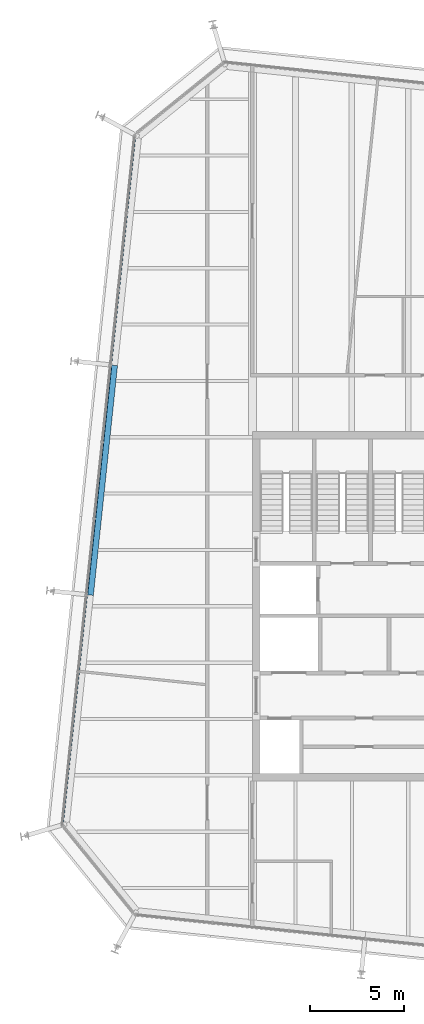
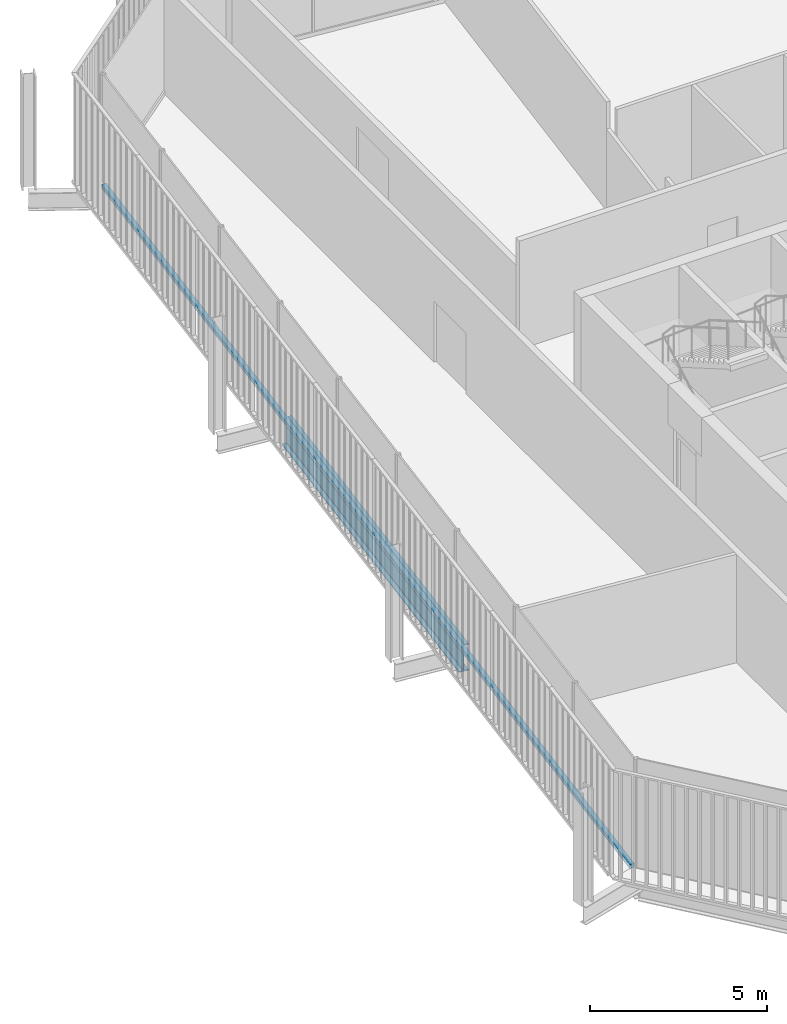
# One storey, part 7 of 20: 1 beam, 1 member, 1 element without a shape of its own.
"""IFC4 building model written with IfcOpenShell, lengths in metres."""

import ifcopenshell
import ifcopenshell.guid

model = None  # the IFC model being written
_history = None  # IfcOwnerHistory: only IFC2X3 demands one
_inside = {}  # id of a spatial element -> (the spatial element, [elements in it])
_under = {}  # id of a project, library or spatial element -> (it, [spatial elements below it])
_declared = {}  # id of a project -> (the project, [libraries it declares])
_typed = {}  # id of a type object -> (the type object, [elements of that type])
_made_of = {}  # id of a material, layer set ... -> (it, [elements and type objects made of it])


def new_model(schema):
    """Start an empty IFC model of exactly this schema.

    Asked for "IFC4X3", IfcOpenShell would pick the latest addendum, in which some entities
    have other attributes; the version numbers below select the first issue.
    IFC2X3 requires an IfcOwnerHistory on every rooted entity: one is made here for all.
    """
    global model, _history
    if schema == "IFC4X3":
        model = ifcopenshell.file(schema_version=(4, 3, 0, 0))
    else:
        model = ifcopenshell.file(schema=schema)
    _inside.clear()
    _under.clear()
    _declared.clear()
    _typed.clear()
    _made_of.clear()
    _history = None
    if model.schema == "IFC2X3":
        org = make("IfcOrganization", Name="unknown")
        user = make(
            "IfcPersonAndOrganization",
            ThePerson=make("IfcPerson", FamilyName="unknown"),
            TheOrganization=org,
        )
        app = make(
            "IfcApplication",
            ApplicationDeveloper=org,
            Version="unknown",
            ApplicationFullName="unknown",
            ApplicationIdentifier="unknown",
        )
        _history = make(
            "IfcOwnerHistory",
            OwningUser=user,
            OwningApplication=app,
            ChangeAction="ADDED",
            CreationDate=0,
        )
    return model


def make(cls, **values):
    """One entity of the class cls with the attributes given. An attribute that is None is left unset."""
    return model.create_entity(
        cls, **{name: value for name, value in values.items() if value is not None}
    )


def rooted(cls, **values):
    """An entity with a GlobalId (a new one), such as an element, a storey or a relation."""
    return make(cls, GlobalId=ifcopenshell.guid.new(), OwnerHistory=_history, **values)


def si_unit(unit_type, name, prefix=None):
    """IfcSIUnit, for example si_unit("LENGTHUNIT", "METRE", prefix="MILLI")."""
    return make("IfcSIUnit", UnitType=unit_type, Prefix=prefix, Name=name)


def assignment(units):
    """IfcUnitAssignment: the units of a project."""
    return None if units is None else make("IfcUnitAssignment", Units=units)


def point(xyz):
    """IfcCartesianPoint."""
    return None if xyz is None else make("IfcCartesianPoint", Coordinates=xyz)


def direction(xyz):
    """IfcDirection."""
    return None if xyz is None else make("IfcDirection", DirectionRatios=xyz)


def frame(location, z_axis=None, x_axis=None):
    """IfcAxis2Placement3D, a coordinate frame: its origin and axes. An axis left out is left unset."""
    return make(
        "IfcAxis2Placement3D",
        Location=point(location),
        Axis=direction(z_axis),
        RefDirection=direction(x_axis),
    )


def frame_2d(location, x_axis=None):
    """IfcAxis2Placement2D, a coordinate frame in the plane: its origin and x axis."""
    return make(
        "IfcAxis2Placement2D", Location=point(location), RefDirection=direction(x_axis)
    )


def origin():
    """The frame at (0, 0, 0) with its axes left unset."""
    return frame((0.0, 0.0, 0.0))


def origin_2d():
    """The frame at (0, 0) in the plane with its x axis left unset."""
    return frame_2d((0.0, 0.0))


def place(relative_to, where):
    """IfcLocalPlacement: puts the frame where relative to a parent placement (None: the world)."""
    return make(
        "IfcLocalPlacement", PlacementRelTo=relative_to, RelativePlacement=where
    )


def context(
    kind, dimensions, precision=None, world=None, true_north=None, identifier=None
):
    """IfcGeometricRepresentationContext, for example the 3D "Model" context."""
    return make(
        "IfcGeometricRepresentationContext",
        ContextIdentifier=identifier,
        ContextType=kind,
        CoordinateSpaceDimension=dimensions,
        Precision=precision,
        WorldCoordinateSystem=world,
        TrueNorth=true_north,
    )


def subcontext(parent, identifier, kind, view, scale=None):
    """IfcGeometricRepresentationSubContext, for example "Body" below "Model"."""
    return make(
        "IfcGeometricRepresentationSubContext",
        ContextIdentifier=identifier,
        ContextType=kind,
        ParentContext=parent,
        TargetScale=scale,
        TargetView=view,
    )


def project(units=None, contexts=None):
    """IfcProject with its units and contexts."""
    return rooted(
        "IfcProject",
        Name="project",
        RepresentationContexts=contexts,
        UnitsInContext=assignment(units),
    )


def spatial(cls, under=None, at=None, **own):
    """A site, building, storey or space (cls), placed at a placement, below another one or the project."""
    s = rooted(cls, ObjectPlacement=at, **own)
    if under is not None:
        _under.setdefault(under.id(), (under, []))[1].append(s)
    return s


def profile(cls, at=None, kind="AREA", **sizes):
    """A parametric profile (cls). Its sizes go by their IFC names, for example OverallWidth=200.0."""
    return make(cls, ProfileType=kind, Position=at, **sizes)


def rectangle(**sizes):
    """IfcRectangleProfileDef."""
    return profile("IfcRectangleProfileDef", **sizes)


def i_section(**sizes):
    """IfcIShapeProfileDef."""
    return profile("IfcIShapeProfileDef", **sizes)


def extrude(swept, where, along, depth):
    """IfcExtrudedAreaSolid: the profile swept, set in the frame where, extruded along a direction by depth."""
    return make(
        "IfcExtrudedAreaSolid",
        SweptArea=swept,
        Position=where,
        ExtrudedDirection=direction(along),
        Depth=depth,
    )


def shape(context_of_items, identifier, shape_type, items):
    """IfcShapeRepresentation: the items that make up one representation, for example the "Body"."""
    return make(
        "IfcShapeRepresentation",
        ContextOfItems=context_of_items,
        RepresentationIdentifier=identifier,
        RepresentationType=shape_type,
        Items=items,
    )


def material(Name=None, Category=None):
    """IfcMaterial."""
    return make("IfcMaterial", Name=Name, Category=Category)


def layer(
    of_material, thickness, ventilated=None, Name=None, Category=None, Priority=None
):
    """IfcMaterialLayer: one layer of a wall or slab, of a material (None: an air gap)."""
    return make(
        "IfcMaterialLayer",
        Material=of_material,
        LayerThickness=thickness,
        IsVentilated=ventilated,
        Name=Name,
        Category=Category,
        Priority=Priority,
    )


def layer_set(layers, Name=None):
    """IfcMaterialLayerSet."""
    return make("IfcMaterialLayerSet", MaterialLayers=layers, LayerSetName=Name)


def material_profile(
    of_material, cross_section, Name=None, Category=None, Priority=None
):
    """IfcMaterialProfile: a cross section and its material."""
    return make(
        "IfcMaterialProfile",
        Name=Name,
        Material=of_material,
        Profile=cross_section,
        Priority=Priority,
        Category=Category,
    )


def profile_set(profiles, Name=None, composite=None):
    """IfcMaterialProfileSet."""
    return make(
        "IfcMaterialProfileSet",
        Name=Name,
        MaterialProfiles=profiles,
        CompositeProfile=composite,
    )


def made_of(thing, what):
    """Note that an element or type object is made of a material, layer set ...; save() writes the relation."""
    if what is not None:
        _made_of.setdefault(what.id(), (what, []))[1].append(thing)
    return thing


def type_object(cls, material=None, **own):
    """A type object (cls), such as IfcWallType, which elements share."""
    return made_of(rooted(cls, **own), material)


def element(
    cls,
    number,
    at=None,
    inside=None,
    cuts=None,
    type_object=None,
    material=None,
    context=None,
    identifier="Body",
    shape_type=None,
    held_by="IfcProductDefinitionShape",
    body=None,
    shapes=None,
    **own,
):
    """One element of the class cls, such as IfcWall. Its Tag is "e" and its number.

    at: its placement. inside: the storey or other place that contains it. cuts: it is an
    opening in that element (IfcRelVoidsElement). A single representation is given by context,
    identifier, shape_type and body (its items); several are given by shapes. held_by: the class
    of the entity that holds the representations. save() writes the other relations.
    """
    e = rooted(cls, Tag="e%d" % number, ObjectPlacement=at, **own)
    if body is not None:
        shapes = [shape(context, identifier, shape_type, body)]
    if shapes is not None:
        e.Representation = make(held_by, Representations=shapes)
    if inside is not None:
        _inside.setdefault(inside.id(), (inside, []))[1].append(e)
    if cuts is not None:
        rooted(
            "IfcRelVoidsElement", RelatingBuildingElement=cuts, RelatedOpeningElement=e
        )
    if type_object is not None:
        _typed.setdefault(type_object.id(), (type_object, []))[1].append(e)
    return made_of(e, material)


def aggregate(whole, parts):
    """IfcRelAggregates: a whole, such as a stair, and the parts it consists of."""
    return rooted("IfcRelAggregates", RelatingObject=whole, RelatedObjects=parts)


def save(model, path):
    """Write the relations noted so far, then the file.

    IfcRelAggregates (storeys below a building ...), IfcRelContainedInSpatialStructure (elements
    in a storey), IfcRelDefinesByType, IfcRelAssociatesMaterial and IfcRelDeclares: one each for
    every whole, place, type object, material and project.
    """
    for whole, parts in _under.values():
        aggregate(whole, parts)
    for where, things in _inside.values():
        rooted(
            "IfcRelContainedInSpatialStructure",
            RelatedElements=things,
            RelatingStructure=where,
        )
    for kind, things in _typed.values():
        rooted("IfcRelDefinesByType", RelatedObjects=things, RelatingType=kind)
    for what, things in _made_of.values():
        rooted("IfcRelAssociatesMaterial", RelatedObjects=things, RelatingMaterial=what)
    for by, libraries in _declared.values():
        rooted("IfcRelDeclares", RelatingContext=by, RelatedDefinitions=libraries)
    model.write(path)


model = new_model("IFC4")

# Units and contexts
model_context = context("Model", 3, precision=1e-05, world=origin(), true_north=direction((0.0, 1.0)))
body_context = subcontext(model_context, "Body", "Model", "MODEL_VIEW")
ifc_project = project(units=[si_unit("LENGTHUNIT", "METRE"), si_unit("AREAUNIT", "SQUARE_METRE"), si_unit("VOLUMEUNIT", "CUBIC_METRE"), si_unit("PLANEANGLEUNIT", "RADIAN"), si_unit("MASSUNIT", "GRAM", prefix="KILO")], contexts=[model_context])

# Site, building, storey
site_placement = place(None, origin())
site = spatial("IfcSite", under=ifc_project, at=site_placement, CompositionType="ELEMENT")
building_placement = place(site_placement, origin())
building = spatial("IfcBuilding", under=site, at=building_placement, Name="Millrace Tower", CompositionType="ELEMENT")
storey_placement = place(building_placement, frame((0.0, 0.0, 303.300048828125)))
storey = spatial("IfcBuildingStorey", under=building, at=storey_placement, Name="L70", CompositionType="ELEMENT", Elevation=303.300048828125)

# Curtain wall, member
ifc_material_1 = material(Name="Aluminium and glass", Category="aluminium")
ifc_layer = layer(ifc_material_1, 0.14990234375)
ifc_layer_set = layer_set([ifc_layer], Name="Aluminium and glass")
curtain_wall_type = type_object("IfcCurtainWallType", Name="CW-1 office vision curtain wall", PredefinedType="NOTDEFINED", material=ifc_layer_set)
curtain_wall_placement = place(storey_placement, origin())
curtain_wall = element("IfcCurtainWall", 1, at=curtain_wall_placement, inside=storey, type_object=curtain_wall_type, Name="Curtain wall E-F08 L70", PredefinedType="NOTDEFINED")
ifc_material_2 = material(Name="Aluminium", Category="aluminium")
ifc_material_profile_1 = material_profile(ifc_material_2, rectangle(XDim=0.14990234375, YDim=0.139892578125, at=origin_2d()))
ifc_profile_set_1 = profile_set([ifc_material_profile_1], Name="Aluminium")
member_type = type_object("IfcMemberType", Name="CW-1 office vision curtain wall transom", PredefinedType="USERDEFINED", material=ifc_profile_set_1)
member_placement = place(storey_placement, frame((-20.581787109375, 24.9853515625, 0.070068359375), z_axis=(-0.104527916025, -0.994521952886, 0.0), x_axis=(0.994521952886, -0.104527916025, 0.0)))
member = element("IfcMember", 2, at=member_placement, type_object=member_type, Name="CW1 transom E-F08.1", ObjectType="TRANSOM", PredefinedType="USERDEFINED", context=body_context, shape_type="SweptSolid", body=[
    extrude(rectangle(XDim=0.14990234375, YDim=0.139892578125, at=origin_2d()), origin(), (0.0, 0.0, 1.0), 36.699951171875),
])
aggregate(curtain_wall, [member])

# Beam
ifc_material_3 = material(Name="Steel ASTM A992 Grade 50", Category="steel")
ifc_material_profile_2 = material_profile(ifc_material_3, i_section(OverallWidth=0.307373046875, OverallDepth=0.927001953125, WebThickness=0.01953125, FlangeThickness=0.031982421875, FilletRadius=0.01904296875, at=origin_2d()))
ifc_profile_set_2 = profile_set([ifc_material_profile_2], Name="Steel ASTM A992 Grade 50")
beam_type = type_object("IfcBeamType", Name="Ring beam medium span W36x194", PredefinedType="SPANDREL", material=ifc_profile_set_2)
beam_placement = place(storey_placement, frame((-22.915283203125, 0.595703125, -0.62353515625), z_axis=(0.104523600289, 0.994522406476, 0.0), x_axis=(-0.994522406476, 0.104523600289, 0.0)))
element("IfcBeam", 3, at=beam_placement, inside=storey, type_object=beam_type, Name="RNG-E-L70-S1-02", PredefinedType="SPANDREL", context=body_context, shape_type="SweptSolid", body=[
    extrude(i_section(OverallWidth=0.307373046875, OverallDepth=0.927001953125, WebThickness=0.01953125, FlangeThickness=0.031982421875, FilletRadius=0.01904296875, at=origin_2d()), origin(), (0.0, 0.0, 1.0), 12.300048828125),
])

save(model, "model.ifc")
